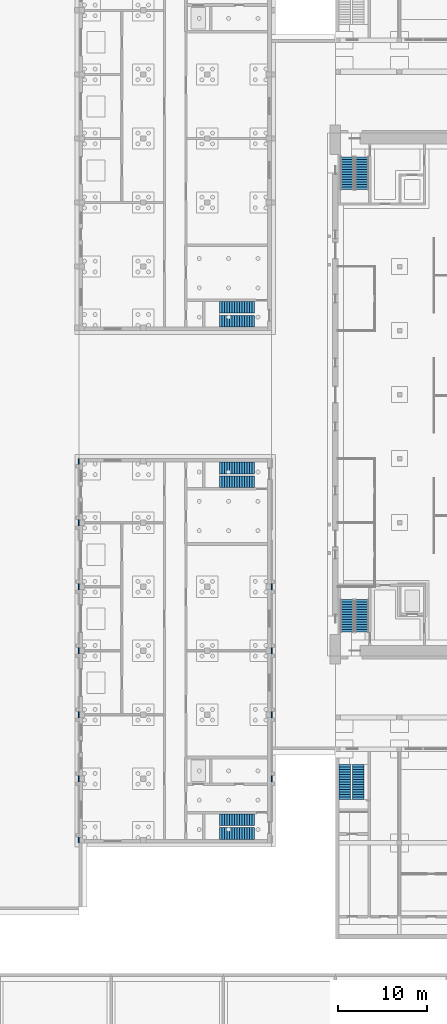
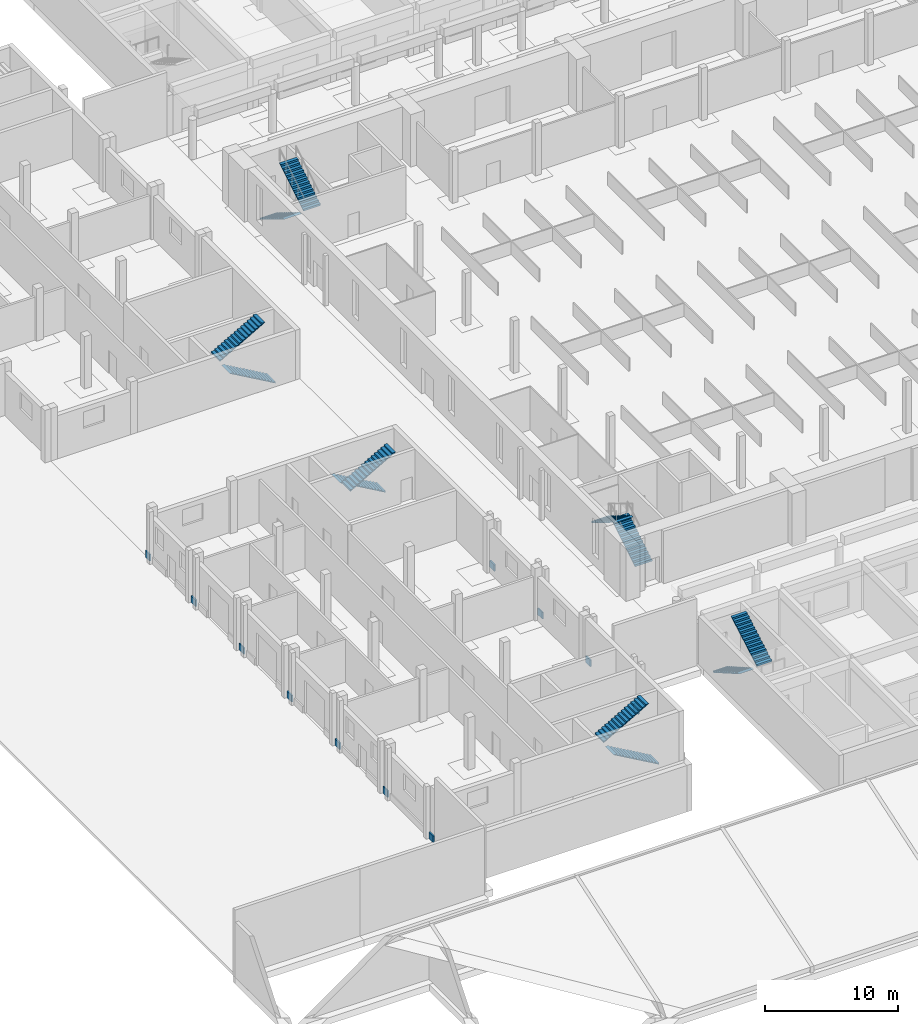
# One storey, part 59 of 73: 12 stair flights, 11 walls, 6 elements without a shape of their own.
"""IFC4 building model written with IfcOpenShell, lengths in metres."""

import ifcopenshell
import ifcopenshell.guid

model = None  # the IFC model being written
_history = None  # IfcOwnerHistory: only IFC2X3 demands one
_inside = {}  # id of a spatial element -> (the spatial element, [elements in it])
_under = {}  # id of a project, library or spatial element -> (it, [spatial elements below it])
_declared = {}  # id of a project -> (the project, [libraries it declares])
_typed = {}  # id of a type object -> (the type object, [elements of that type])
_made_of = {}  # id of a material, layer set ... -> (it, [elements and type objects made of it])


def new_model(schema):
    """Start an empty IFC model of exactly this schema.

    Asked for "IFC4X3", IfcOpenShell would pick the latest addendum, in which some entities
    have other attributes; the version numbers below select the first issue.
    IFC2X3 requires an IfcOwnerHistory on every rooted entity: one is made here for all.
    """
    global model, _history
    if schema == "IFC4X3":
        model = ifcopenshell.file(schema_version=(4, 3, 0, 0))
    else:
        model = ifcopenshell.file(schema=schema)
    _inside.clear()
    _under.clear()
    _declared.clear()
    _typed.clear()
    _made_of.clear()
    _history = None
    if model.schema == "IFC2X3":
        org = make("IfcOrganization", Name="unknown")
        user = make(
            "IfcPersonAndOrganization",
            ThePerson=make("IfcPerson", FamilyName="unknown"),
            TheOrganization=org,
        )
        app = make(
            "IfcApplication",
            ApplicationDeveloper=org,
            Version="unknown",
            ApplicationFullName="unknown",
            ApplicationIdentifier="unknown",
        )
        _history = make(
            "IfcOwnerHistory",
            OwningUser=user,
            OwningApplication=app,
            ChangeAction="ADDED",
            CreationDate=0,
        )
    return model


def make(cls, **values):
    """One entity of the class cls with the attributes given. An attribute that is None is left unset."""
    return model.create_entity(
        cls, **{name: value for name, value in values.items() if value is not None}
    )


def rooted(cls, **values):
    """An entity with a GlobalId (a new one), such as an element, a storey or a relation."""
    return make(cls, GlobalId=ifcopenshell.guid.new(), OwnerHistory=_history, **values)


def si_unit(unit_type, name, prefix=None):
    """IfcSIUnit, for example si_unit("LENGTHUNIT", "METRE", prefix="MILLI")."""
    return make("IfcSIUnit", UnitType=unit_type, Prefix=prefix, Name=name)


def assignment(units):
    """IfcUnitAssignment: the units of a project."""
    return None if units is None else make("IfcUnitAssignment", Units=units)


def point(xyz):
    """IfcCartesianPoint."""
    return None if xyz is None else make("IfcCartesianPoint", Coordinates=xyz)


def direction(xyz):
    """IfcDirection."""
    return None if xyz is None else make("IfcDirection", DirectionRatios=xyz)


def frame(location, z_axis=None, x_axis=None):
    """IfcAxis2Placement3D, a coordinate frame: its origin and axes. An axis left out is left unset."""
    return make(
        "IfcAxis2Placement3D",
        Location=point(location),
        Axis=direction(z_axis),
        RefDirection=direction(x_axis),
    )


def frame_2d(location, x_axis=None):
    """IfcAxis2Placement2D, a coordinate frame in the plane: its origin and x axis."""
    return make(
        "IfcAxis2Placement2D", Location=point(location), RefDirection=direction(x_axis)
    )


def origin():
    """The frame at (0, 0, 0) with its axes left unset."""
    return frame((0.0, 0.0, 0.0))


def place(relative_to, where):
    """IfcLocalPlacement: puts the frame where relative to a parent placement (None: the world)."""
    return make(
        "IfcLocalPlacement", PlacementRelTo=relative_to, RelativePlacement=where
    )


def context(
    kind, dimensions, precision=None, world=None, true_north=None, identifier=None
):
    """IfcGeometricRepresentationContext, for example the 3D "Model" context."""
    return make(
        "IfcGeometricRepresentationContext",
        ContextIdentifier=identifier,
        ContextType=kind,
        CoordinateSpaceDimension=dimensions,
        Precision=precision,
        WorldCoordinateSystem=world,
        TrueNorth=true_north,
    )


def subcontext(parent, identifier, kind, view, scale=None):
    """IfcGeometricRepresentationSubContext, for example "Body" below "Model"."""
    return make(
        "IfcGeometricRepresentationSubContext",
        ContextIdentifier=identifier,
        ContextType=kind,
        ParentContext=parent,
        TargetScale=scale,
        TargetView=view,
    )


def project(units=None, contexts=None):
    """IfcProject with its units and contexts."""
    return rooted(
        "IfcProject",
        Name="project",
        RepresentationContexts=contexts,
        UnitsInContext=assignment(units),
    )


def spatial(cls, under=None, at=None, **own):
    """A site, building, storey or space (cls), placed at a placement, below another one or the project."""
    s = rooted(cls, ObjectPlacement=at, **own)
    if under is not None:
        _under.setdefault(under.id(), (under, []))[1].append(s)
    return s


def polyline(points):
    """IfcPolyline through the points."""
    return make("IfcPolyline", Points=[point(p) for p in points])


def profile(cls, at=None, kind="AREA", **sizes):
    """A parametric profile (cls). Its sizes go by their IFC names, for example OverallWidth=200.0."""
    return make(cls, ProfileType=kind, Position=at, **sizes)


def rectangle(**sizes):
    """IfcRectangleProfileDef."""
    return profile("IfcRectangleProfileDef", **sizes)


def outline(outer, holes=None, kind="AREA"):
    """IfcArbitraryClosedProfileDef: a profile drawn as a closed curve; with holes, ...WithVoids."""
    if holes is None:
        return make("IfcArbitraryClosedProfileDef", ProfileType=kind, OuterCurve=outer)
    return make(
        "IfcArbitraryProfileDefWithVoids",
        ProfileType=kind,
        OuterCurve=outer,
        InnerCurves=holes,
    )


def extrude(swept, where, along, depth):
    """IfcExtrudedAreaSolid: the profile swept, set in the frame where, extruded along a direction by depth."""
    return make(
        "IfcExtrudedAreaSolid",
        SweptArea=swept,
        Position=where,
        ExtrudedDirection=direction(along),
        Depth=depth,
    )


def shape(context_of_items, identifier, shape_type, items):
    """IfcShapeRepresentation: the items that make up one representation, for example the "Body"."""
    return make(
        "IfcShapeRepresentation",
        ContextOfItems=context_of_items,
        RepresentationIdentifier=identifier,
        RepresentationType=shape_type,
        Items=items,
    )


def material(Name=None, Category=None):
    """IfcMaterial."""
    return make("IfcMaterial", Name=Name, Category=Category)


def layer(
    of_material, thickness, ventilated=None, Name=None, Category=None, Priority=None
):
    """IfcMaterialLayer: one layer of a wall or slab, of a material (None: an air gap)."""
    return make(
        "IfcMaterialLayer",
        Material=of_material,
        LayerThickness=thickness,
        IsVentilated=ventilated,
        Name=Name,
        Category=Category,
        Priority=Priority,
    )


def layer_set(layers, Name=None):
    """IfcMaterialLayerSet."""
    return make("IfcMaterialLayerSet", MaterialLayers=layers, LayerSetName=Name)


def made_of(thing, what):
    """Note that an element or type object is made of a material, layer set ...; save() writes the relation."""
    if what is not None:
        _made_of.setdefault(what.id(), (what, []))[1].append(thing)
    return thing


def type_object(cls, material=None, **own):
    """A type object (cls), such as IfcWallType, which elements share."""
    return made_of(rooted(cls, **own), material)


def element(
    cls,
    number,
    at=None,
    inside=None,
    cuts=None,
    type_object=None,
    material=None,
    context=None,
    identifier="Body",
    shape_type=None,
    held_by="IfcProductDefinitionShape",
    body=None,
    shapes=None,
    **own,
):
    """One element of the class cls, such as IfcWall. Its Tag is "e" and its number.

    at: its placement. inside: the storey or other place that contains it. cuts: it is an
    opening in that element (IfcRelVoidsElement). A single representation is given by context,
    identifier, shape_type and body (its items); several are given by shapes. held_by: the class
    of the entity that holds the representations. save() writes the other relations.
    """
    e = rooted(cls, Tag="e%d" % number, ObjectPlacement=at, **own)
    if body is not None:
        shapes = [shape(context, identifier, shape_type, body)]
    if shapes is not None:
        e.Representation = make(held_by, Representations=shapes)
    if inside is not None:
        _inside.setdefault(inside.id(), (inside, []))[1].append(e)
    if cuts is not None:
        rooted(
            "IfcRelVoidsElement", RelatingBuildingElement=cuts, RelatedOpeningElement=e
        )
    if type_object is not None:
        _typed.setdefault(type_object.id(), (type_object, []))[1].append(e)
    return made_of(e, material)


def aggregate(whole, parts):
    """IfcRelAggregates: a whole, such as a stair, and the parts it consists of."""
    return rooted("IfcRelAggregates", RelatingObject=whole, RelatedObjects=parts)


def save(model, path):
    """Write the relations noted so far, then the file.

    IfcRelAggregates (storeys below a building ...), IfcRelContainedInSpatialStructure (elements
    in a storey), IfcRelDefinesByType, IfcRelAssociatesMaterial and IfcRelDeclares: one each for
    every whole, place, type object, material and project.
    """
    for whole, parts in _under.values():
        aggregate(whole, parts)
    for where, things in _inside.values():
        rooted(
            "IfcRelContainedInSpatialStructure",
            RelatedElements=things,
            RelatingStructure=where,
        )
    for kind, things in _typed.values():
        rooted("IfcRelDefinesByType", RelatedObjects=things, RelatingType=kind)
    for what, things in _made_of.values():
        rooted("IfcRelAssociatesMaterial", RelatedObjects=things, RelatingMaterial=what)
    for by, libraries in _declared.values():
        rooted("IfcRelDeclares", RelatingContext=by, RelatedDefinitions=libraries)
    model.write(path)


model = new_model("IFC4")

# Units and contexts
model_context = context("Model", 3, precision=1e-05, world=origin(), true_north=direction((0.0, 1.0)))
body_context = subcontext(model_context, "Body", "Model", "MODEL_VIEW")
ifc_project = project(units=[si_unit("LENGTHUNIT", "METRE"), si_unit("AREAUNIT", "SQUARE_METRE"), si_unit("VOLUMEUNIT", "CUBIC_METRE"), si_unit("PLANEANGLEUNIT", "RADIAN"), si_unit("MASSUNIT", "GRAM", prefix="KILO")], contexts=[model_context])

# Site, building, storey
site_placement = place(None, origin())
site = spatial("IfcSite", under=ifc_project, at=site_placement, CompositionType="ELEMENT")
building_placement = place(site_placement, origin())
building = spatial("IfcBuilding", under=site, at=building_placement, Name="Alderwick Market Hall", CompositionType="ELEMENT")
storey_placement = place(building_placement, origin())
storey = spatial("IfcBuildingStorey", under=building, at=storey_placement, Name="LG", CompositionType="ELEMENT", Elevation=0.0)

# Walls
ifc_material_1 = material(Name="Cast stone 5000 psi", Category="masonry")
ifc_layer = layer(ifc_material_1, 0.1201171875)
ifc_layer_set = layer_set([ifc_layer], Name="Cast stone 5000 psi")
wall_type = type_object("IfcWallType", Name="B Cast Stone Base Course 120", PredefinedType="SOLIDWALL", material=ifc_layer_set)
wall_1_placement = place(storey_placement, frame((21.5400390625, 28.800048828125, 0.0), z_axis=(0.0, 0.0, 1.0), x_axis=(0.0, 1.0, 0.0)))
element("IfcWall", 1, at=wall_1_placement, inside=storey, type_object=wall_type, Name="B.S.base.W.00", PredefinedType="SOLIDWALL", context=body_context, shape_type="SweptSolid", body=[
    extrude(rectangle(XDim=0.64990234375, YDim=0.1201171875, at=frame_2d((0.324951171875, 0.0))), origin(), (0.0, 0.0, 1.0), 0.60009765625),
])
wall_2_placement = place(storey_placement, frame((21.5400390625, 35.64990234375, 0.0), z_axis=(0.0, 0.0, 1.0), x_axis=(0.0, 1.0, 0.0)))
element("IfcWall", 2, at=wall_2_placement, inside=storey, type_object=wall_type, Name="B.S.base.W.02", PredefinedType="SOLIDWALL", context=body_context, shape_type="SweptSolid", body=[
    extrude(rectangle(XDim=0.7001953125, YDim=0.1201171875, at=frame_2d((0.35009765625, 0.0))), origin(), (0.0, 0.0, 1.0), 0.60009765625),
])
for number, where, z_axis, x_axis, name in (
    (3, (21.5400390625, 42.85009765625, 0.0), (0.0, 0.0, 1.0), (0.0, 1.0, 0.0), "B.S.base.W.05"),
    (4, (21.5400390625, 50.050048828125, 0.0), (0.0, 0.0, 1.0), (0.0, 1.0, 0.0), "B.S.base.W.08"),
    (5, (21.5400390625, 57.25, 0.0), (0.0, 0.0, 1.0), (0.0, 1.0, 0.0), "B.S.base.W.11"),
    (6, (21.5400390625, 64.449951171875, 0.0), (0.0, 0.0, 1.0), (0.0, 1.0, 0.0), "B.S.base.W.14"),
):
    element("IfcWall", number, at=place(storey_placement, frame(where, z_axis=z_axis, x_axis=x_axis)), inside=storey, type_object=wall_type, Name=name, PredefinedType="SOLIDWALL", context=body_context, shape_type="SweptSolid", body=[
        extrude(rectangle(XDim=0.699951171875, YDim=0.1201171875, at=frame_2d((0.35009765625, 0.0))), origin(), (0.0, 0.0, 1.0), 0.60009765625),
    ])
wall_3_placement = place(storey_placement, frame((21.5400390625, 71.35009765625, 0.0), z_axis=(0.0, 0.0, 1.0), x_axis=(0.0, 1.0, 0.0)))
element("IfcWall", 7, at=wall_3_placement, inside=storey, type_object=wall_type, Name="B.S.base.W.17", PredefinedType="SOLIDWALL", context=body_context, shape_type="SweptSolid", body=[
    extrude(rectangle(XDim=0.64990234375, YDim=0.1201171875, at=frame_2d((0.324951171875, 0.0))), origin(), (0.0, 0.0, 1.0), 0.60009765625),
])
wall_4_placement = place(storey_placement, frame((43.260009765625, 35.64990234375, 0.0), z_axis=(0.0, 0.0, 1.0), x_axis=(0.0, 1.0, 0.0)))
element("IfcWall", 8, at=wall_4_placement, inside=storey, type_object=wall_type, Name="B.S.base.E.02", PredefinedType="SOLIDWALL", context=body_context, shape_type="SweptSolid", body=[
    extrude(rectangle(XDim=0.7001953125, YDim=0.1201171875, at=frame_2d((0.35009765625, 0.0))), origin(), (0.0, 0.0, 1.0), 0.60009765625),
])
for number, where, z_axis, x_axis, name in (
    (9, (43.260009765625, 42.85009765625, 0.0), (0.0, 0.0, 1.0), (0.0, 1.0, 0.0), "B.S.base.E.04"),
    (10, (43.260009765625, 50.050048828125, 0.0), (0.0, 0.0, 1.0), (0.0, 1.0, 0.0), "B.S.base.E.06"),
    (11, (43.260009765625, 57.25, 0.0), (0.0, 0.0, 1.0), (0.0, 1.0, 0.0), "B.S.base.E.08"),
):
    element("IfcWall", number, at=place(storey_placement, frame(where, z_axis=z_axis, x_axis=x_axis)), inside=storey, type_object=wall_type, Name=name, PredefinedType="SOLIDWALL", context=body_context, shape_type="SweptSolid", body=[
        extrude(rectangle(XDim=0.699951171875, YDim=0.1201171875, at=frame_2d((0.35009765625, 0.0))), origin(), (0.0, 0.0, 1.0), 0.60009765625),
    ])

# Stair, stair flights
ifc_material_2 = material(Name="Concrete 5000 psi (f'c 35 MPa)", Category="concrete")
stair_type_1 = type_object("IfcStairType", Name="A Roof Stair 1300", PredefinedType="TWO_STRAIGHT_RUN_STAIR", material=ifc_material_2)
stair_1_placement = place(storey_placement, origin())
stair_1 = element("IfcStair", 12, at=stair_1_placement, inside=storey, type_object=stair_type_1, Name="Roof stair SW", PredefinedType="TWO_STRAIGHT_RUN_STAIR")
stair_flight_type_1 = type_object("IfcStairFlightType", Name="A Stair Flight 1300", PredefinedType="STRAIGHT", material=ifc_material_2)
stair_flight_1_placement = place(storey_placement, frame((51.449951171875, 37.60009765625, 0.0), z_axis=(0.0, 0.0, 1.0), x_axis=(0.0, -1.0, 0.0)))
stair_flight_1 = element("IfcStairFlight", 13, at=stair_flight_1_placement, type_object=stair_flight_type_1, Name="A-ST-SW flight 1", NumberOfRisers=15, NumberOfTreads=14, PredefinedType="STRAIGHT", RiserHeight=0.16, TreadLength=0.28, context=body_context, shape_type="SweptSolid", body=[
    extrude(outline(polyline([(0.00537109375, -0.009521484375), (0.0, 0.0), (0.0, 0.159912109375), (0.280029296875, 0.159912109375), (0.280029296875, 0.320068359375), (0.56005859375, 0.320068359375), (0.56005859375, 0.47998046875), (0.840087890625, 0.47998046875), (0.840087890625, 0.639892578125), (1.1201171875, 0.639892578125), (1.1201171875, 0.800048828125), (1.39990234375, 0.800048828125), (1.39990234375, 0.9599609375), (1.679931640625, 0.9599609375), (1.679931640625, 1.1201171875), (1.9599609375, 1.1201171875), (1.9599609375, 1.280029296875), (2.239990234375, 1.280029296875), (2.239990234375, 1.43994140625), (2.52001953125, 1.43994140625), (2.52001953125, 1.60009765625), (2.800048828125, 1.60009765625), (2.800048828125, 1.760009765625), (3.080078125, 1.760009765625), (3.080078125, 1.919921875), (3.360107421875, 1.919921875), (3.360107421875, 2.080078125), (3.639892578125, 2.080078125), (3.639892578125, 2.239990234375), (3.919921875, 2.239990234375), (3.919921875, 2.227294921875), (0.00537109375, -0.009521484375)])), frame((0.0, 0.64990234375, 0.0), z_axis=(0.0, -1.0, 0.0), x_axis=(1.0, 0.0, 0.0)), (0.0, 0.0, 1.0), 1.300048828125),
])
stair_flight_2_placement = place(storey_placement, frame((53.0, 33.679931640625, 2.39990234375), z_axis=(0.0, 0.0, 1.0), x_axis=(0.0, 1.0, 0.0)))
stair_flight_2 = element("IfcStairFlight", 14, at=stair_flight_2_placement, type_object=stair_flight_type_1, Name="A-ST-SW flight 2", NumberOfRisers=15, NumberOfTreads=14, PredefinedType="STRAIGHT", RiserHeight=0.16, TreadLength=0.28, context=body_context, shape_type="SweptSolid", body=[
    extrude(outline(polyline([(0.00537109375, -0.009521484375), (0.0, 0.0), (0.0, 0.159912109375), (0.280029296875, 0.159912109375), (0.280029296875, 0.320068359375), (0.56005859375, 0.320068359375), (0.56005859375, 0.47998046875), (0.840087890625, 0.47998046875), (0.840087890625, 0.639892578125), (1.1201171875, 0.639892578125), (1.1201171875, 0.800048828125), (1.39990234375, 0.800048828125), (1.39990234375, 0.9599609375), (1.679931640625, 0.9599609375), (1.679931640625, 1.1201171875), (1.9599609375, 1.1201171875), (1.9599609375, 1.280029296875), (2.239990234375, 1.280029296875), (2.239990234375, 1.43994140625), (2.52001953125, 1.43994140625), (2.52001953125, 1.60009765625), (2.800048828125, 1.60009765625), (2.800048828125, 1.760009765625), (3.080078125, 1.760009765625), (3.080078125, 1.919921875), (3.360107421875, 1.919921875), (3.360107421875, 2.080078125), (3.639892578125, 2.080078125), (3.639892578125, 2.239990234375), (3.919921875, 2.239990234375), (3.919921875, 2.227294921875), (0.00537109375, -0.009521484375)])), frame((0.0, 0.64990234375, 0.0), z_axis=(0.0, -1.0, 0.0), x_axis=(1.0, 0.0, 0.0)), (0.0, 0.0, 1.0), 1.300048828125),
])
aggregate(stair_1, [stair_flight_1, stair_flight_2])

stair_type_2 = type_object("IfcStairType", Name="B Exit Stair 1300", PredefinedType="TWO_STRAIGHT_RUN_STAIR", material=ifc_material_2)
stair_2_placement = place(storey_placement, origin())
stair_2 = element("IfcStair", 15, at=stair_2_placement, inside=storey, type_object=stair_type_2, Name="Stair N-2 LG", PredefinedType="TWO_STRAIGHT_RUN_STAIR")
stair_flight_type_2 = type_object("IfcStairFlightType", Name="B Stair Flight 1300", PredefinedType="STRAIGHT", material=ifc_material_2)
stair_flight_3_placement = place(storey_placement, frame((41.300048828125, 87.449951171875, 0.0), z_axis=(0.0, 0.0, 1.0), x_axis=(-1.0, 0.0, 0.0)))
stair_flight_3 = element("IfcStairFlight", 16, at=stair_flight_3_placement, type_object=stair_flight_type_2, Name="B-ST-N-2-LG flight 1", NumberOfRisers=15, NumberOfTreads=14, PredefinedType="STRAIGHT", RiserHeight=0.16, TreadLength=0.28, context=body_context, shape_type="SweptSolid", body=[
    extrude(outline(polyline([(0.00537109375, -0.009521484375), (0.0, 0.0), (0.0, 0.159912109375), (0.280029296875, 0.159912109375), (0.280029296875, 0.320068359375), (0.56005859375, 0.320068359375), (0.56005859375, 0.47998046875), (0.840087890625, 0.47998046875), (0.840087890625, 0.639892578125), (1.1201171875, 0.639892578125), (1.1201171875, 0.800048828125), (1.39990234375, 0.800048828125), (1.39990234375, 0.9599609375), (1.679931640625, 0.9599609375), (1.679931640625, 1.1201171875), (1.9599609375, 1.1201171875), (1.9599609375, 1.280029296875), (2.239990234375, 1.280029296875), (2.239990234375, 1.43994140625), (2.52001953125, 1.43994140625), (2.52001953125, 1.60009765625), (2.800048828125, 1.60009765625), (2.800048828125, 1.760009765625), (3.080078125, 1.760009765625), (3.080078125, 1.919921875), (3.360107421875, 1.919921875), (3.360107421875, 2.080078125), (3.639892578125, 2.080078125), (3.639892578125, 2.239990234375), (3.919921875, 2.239990234375), (3.919921875, 2.227294921875), (0.00537109375, -0.009521484375)])), frame((0.0, 0.64990234375, 0.0), z_axis=(0.0, -1.0, 0.0), x_axis=(1.0, 0.0, 0.0)), (0.0, 0.0, 1.0), 1.300048828125),
])
stair_flight_4_placement = place(storey_placement, frame((37.3798828125, 89.0, 2.39990234375), z_axis=(0.0, 0.0, 1.0), x_axis=(1.0, 0.0, 0.0)))
stair_flight_4 = element("IfcStairFlight", 17, at=stair_flight_4_placement, type_object=stair_flight_type_2, Name="B-ST-N-2-LG flight 2", NumberOfRisers=15, NumberOfTreads=14, PredefinedType="STRAIGHT", RiserHeight=0.16, TreadLength=0.28, context=body_context, shape_type="SweptSolid", body=[
    extrude(outline(polyline([(0.00537109375, -0.009521484375), (0.0, 0.0), (0.0, 0.159912109375), (0.280029296875, 0.159912109375), (0.280029296875, 0.320068359375), (0.56005859375, 0.320068359375), (0.56005859375, 0.47998046875), (0.840087890625, 0.47998046875), (0.840087890625, 0.639892578125), (1.1201171875, 0.639892578125), (1.1201171875, 0.800048828125), (1.39990234375, 0.800048828125), (1.39990234375, 0.9599609375), (1.679931640625, 0.9599609375), (1.679931640625, 1.1201171875), (1.9599609375, 1.1201171875), (1.9599609375, 1.280029296875), (2.239990234375, 1.280029296875), (2.239990234375, 1.43994140625), (2.52001953125, 1.43994140625), (2.52001953125, 1.60009765625), (2.800048828125, 1.60009765625), (2.800048828125, 1.760009765625), (3.080078125, 1.760009765625), (3.080078125, 1.919921875), (3.360107421875, 1.919921875), (3.360107421875, 2.080078125), (3.639892578125, 2.080078125), (3.639892578125, 2.239990234375), (3.919921875, 2.239990234375), (3.919921875, 2.227294921875), (0.00537109375, -0.009521484375)])), frame((0.0, 0.64990234375, 0.0), z_axis=(0.0, -1.0, 0.0), x_axis=(1.0, 0.0, 0.0)), (0.0, 0.0, 1.0), 1.300048828125),
])
aggregate(stair_2, [stair_flight_3, stair_flight_4])

stair_3_placement = place(storey_placement, origin())
stair_3 = element("IfcStair", 18, at=stair_3_placement, inside=storey, type_object=stair_type_2, Name="Stair S-1 LG", PredefinedType="TWO_STRAIGHT_RUN_STAIR")
stair_flight_5_placement = place(storey_placement, frame((41.300048828125, 29.85009765625, 0.0), z_axis=(0.0, 0.0, 1.0), x_axis=(-1.0, 0.0, 0.0)))
stair_flight_5 = element("IfcStairFlight", 19, at=stair_flight_5_placement, type_object=stair_flight_type_2, Name="B-ST-S-1-LG flight 1", NumberOfRisers=15, NumberOfTreads=14, PredefinedType="STRAIGHT", RiserHeight=0.16, TreadLength=0.28, context=body_context, shape_type="SweptSolid", body=[
    extrude(outline(polyline([(0.00537109375, -0.009521484375), (0.0, 0.0), (0.0, 0.159912109375), (0.280029296875, 0.159912109375), (0.280029296875, 0.320068359375), (0.56005859375, 0.320068359375), (0.56005859375, 0.47998046875), (0.840087890625, 0.47998046875), (0.840087890625, 0.639892578125), (1.1201171875, 0.639892578125), (1.1201171875, 0.800048828125), (1.39990234375, 0.800048828125), (1.39990234375, 0.9599609375), (1.679931640625, 0.9599609375), (1.679931640625, 1.1201171875), (1.9599609375, 1.1201171875), (1.9599609375, 1.280029296875), (2.239990234375, 1.280029296875), (2.239990234375, 1.43994140625), (2.52001953125, 1.43994140625), (2.52001953125, 1.60009765625), (2.800048828125, 1.60009765625), (2.800048828125, 1.760009765625), (3.080078125, 1.760009765625), (3.080078125, 1.919921875), (3.360107421875, 1.919921875), (3.360107421875, 2.080078125), (3.639892578125, 2.080078125), (3.639892578125, 2.239990234375), (3.919921875, 2.239990234375), (3.919921875, 2.227294921875), (0.00537109375, -0.009521484375)])), frame((0.0, 0.64990234375, 0.0), z_axis=(0.0, -1.0, 0.0), x_axis=(1.0, 0.0, 0.0)), (0.0, 0.0, 1.0), 1.300048828125),
])
stair_flight_6_placement = place(storey_placement, frame((37.3798828125, 31.39990234375, 2.39990234375), z_axis=(0.0, 0.0, 1.0), x_axis=(1.0, 0.0, 0.0)))
stair_flight_6 = element("IfcStairFlight", 20, at=stair_flight_6_placement, type_object=stair_flight_type_2, Name="B-ST-S-1-LG flight 2", NumberOfRisers=15, NumberOfTreads=14, PredefinedType="STRAIGHT", RiserHeight=0.16, TreadLength=0.28, context=body_context, shape_type="SweptSolid", body=[
    extrude(outline(polyline([(0.00537109375, -0.009521484375), (0.0, 0.0), (0.0, 0.159912109375), (0.280029296875, 0.159912109375), (0.280029296875, 0.320068359375), (0.56005859375, 0.320068359375), (0.56005859375, 0.47998046875), (0.840087890625, 0.47998046875), (0.840087890625, 0.639892578125), (1.1201171875, 0.639892578125), (1.1201171875, 0.800048828125), (1.39990234375, 0.800048828125), (1.39990234375, 0.9599609375), (1.679931640625, 0.9599609375), (1.679931640625, 1.1201171875), (1.9599609375, 1.1201171875), (1.9599609375, 1.280029296875), (2.239990234375, 1.280029296875), (2.239990234375, 1.43994140625), (2.52001953125, 1.43994140625), (2.52001953125, 1.60009765625), (2.800048828125, 1.60009765625), (2.800048828125, 1.760009765625), (3.080078125, 1.760009765625), (3.080078125, 1.919921875), (3.360107421875, 1.919921875), (3.360107421875, 2.080078125), (3.639892578125, 2.080078125), (3.639892578125, 2.239990234375), (3.919921875, 2.239990234375), (3.919921875, 2.227294921875), (0.00537109375, -0.009521484375)])), frame((0.0, 0.64990234375, 0.0), z_axis=(0.0, -1.0, 0.0), x_axis=(1.0, 0.0, 0.0)), (0.0, 0.0, 1.0), 1.300048828125),
])
aggregate(stair_3, [stair_flight_5, stair_flight_6])

stair_4_placement = place(storey_placement, origin())
stair_4 = element("IfcStair", 21, at=stair_4_placement, inside=storey, type_object=stair_type_2, Name="Stair S-2 LG", PredefinedType="TWO_STRAIGHT_RUN_STAIR")
stair_flight_7_placement = place(storey_placement, frame((41.300048828125, 70.949951171875, 0.0), z_axis=(0.0, 0.0, 1.0), x_axis=(-1.0, 0.0, 0.0)))
stair_flight_7 = element("IfcStairFlight", 22, at=stair_flight_7_placement, type_object=stair_flight_type_2, Name="B-ST-S-2-LG flight 1", NumberOfRisers=15, NumberOfTreads=14, PredefinedType="STRAIGHT", RiserHeight=0.16, TreadLength=0.28, context=body_context, shape_type="SweptSolid", body=[
    extrude(outline(polyline([(0.00537109375, -0.009521484375), (0.0, 0.0), (0.0, 0.159912109375), (0.280029296875, 0.159912109375), (0.280029296875, 0.320068359375), (0.56005859375, 0.320068359375), (0.56005859375, 0.47998046875), (0.840087890625, 0.47998046875), (0.840087890625, 0.639892578125), (1.1201171875, 0.639892578125), (1.1201171875, 0.800048828125), (1.39990234375, 0.800048828125), (1.39990234375, 0.9599609375), (1.679931640625, 0.9599609375), (1.679931640625, 1.1201171875), (1.9599609375, 1.1201171875), (1.9599609375, 1.280029296875), (2.239990234375, 1.280029296875), (2.239990234375, 1.43994140625), (2.52001953125, 1.43994140625), (2.52001953125, 1.60009765625), (2.800048828125, 1.60009765625), (2.800048828125, 1.760009765625), (3.080078125, 1.760009765625), (3.080078125, 1.919921875), (3.360107421875, 1.919921875), (3.360107421875, 2.080078125), (3.639892578125, 2.080078125), (3.639892578125, 2.239990234375), (3.919921875, 2.239990234375), (3.919921875, 2.227294921875), (0.00537109375, -0.009521484375)])), frame((0.0, 0.64990234375, 0.0), z_axis=(0.0, -1.0, 0.0), x_axis=(1.0, 0.0, 0.0)), (0.0, 0.0, 1.0), 1.300048828125),
])
stair_flight_8_placement = place(storey_placement, frame((37.3798828125, 69.39990234375, 2.39990234375), z_axis=(0.0, 0.0, 1.0), x_axis=(1.0, 0.0, 0.0)))
stair_flight_8 = element("IfcStairFlight", 23, at=stair_flight_8_placement, type_object=stair_flight_type_2, Name="B-ST-S-2-LG flight 2", NumberOfRisers=15, NumberOfTreads=14, PredefinedType="STRAIGHT", RiserHeight=0.16, TreadLength=0.28, context=body_context, shape_type="SweptSolid", body=[
    extrude(outline(polyline([(0.00537109375, -0.009521484375), (0.0, 0.0), (0.0, 0.159912109375), (0.280029296875, 0.159912109375), (0.280029296875, 0.320068359375), (0.56005859375, 0.320068359375), (0.56005859375, 0.47998046875), (0.840087890625, 0.47998046875), (0.840087890625, 0.639892578125), (1.1201171875, 0.639892578125), (1.1201171875, 0.800048828125), (1.39990234375, 0.800048828125), (1.39990234375, 0.9599609375), (1.679931640625, 0.9599609375), (1.679931640625, 1.1201171875), (1.9599609375, 1.1201171875), (1.9599609375, 1.280029296875), (2.239990234375, 1.280029296875), (2.239990234375, 1.43994140625), (2.52001953125, 1.43994140625), (2.52001953125, 1.60009765625), (2.800048828125, 1.60009765625), (2.800048828125, 1.760009765625), (3.080078125, 1.760009765625), (3.080078125, 1.919921875), (3.360107421875, 1.919921875), (3.360107421875, 2.080078125), (3.639892578125, 2.080078125), (3.639892578125, 2.239990234375), (3.919921875, 2.239990234375), (3.919921875, 2.227294921875), (0.00537109375, -0.009521484375)])), frame((0.0, 0.64990234375, 0.0), z_axis=(0.0, -1.0, 0.0), x_axis=(1.0, 0.0, 0.0)), (0.0, 0.0, 1.0), 1.300048828125),
])
aggregate(stair_4, [stair_flight_7, stair_flight_8])

stair_type_3 = type_object("IfcStairType", Name="H Stair 1500", PredefinedType="HALF_TURN_STAIR", material=ifc_material_2)
stair_5_placement = place(storey_placement, origin())
stair_5 = element("IfcStair", 24, at=stair_5_placement, inside=storey, type_object=stair_type_3, Name="LG Exit stair H-SW", PredefinedType="HALF_TURN_STAIR")
stair_flight_type_3 = type_object("IfcStairFlightType", Name="H Stair flight 1500", PredefinedType="STRAIGHT", material=ifc_material_2)
stair_flight_9_placement = place(storey_placement, frame((53.39990234375, 52.5, 0.0), z_axis=(0.0, 0.0, 1.0), x_axis=(0.0, 1.0, 0.0)))
stair_flight_9 = element("IfcStairFlight", 25, at=stair_flight_9_placement, type_object=stair_flight_type_3, Name="H-SW flight 1", NumberOfRisers=14, NumberOfTreads=13, PredefinedType="STRAIGHT", RiserHeight=0.171428571, TreadLength=0.28, context=body_context, shape_type="SweptSolid", body=[
    extrude(outline(polyline([(0.001953125, -0.003173828125), (0.0, 0.0), (0.0, 0.17138671875), (0.280029296875, 0.17138671875), (0.280029296875, 0.3427734375), (0.56005859375, 0.3427734375), (0.56005859375, 0.514404296875), (0.840087890625, 0.514404296875), (0.840087890625, 0.685791015625), (1.1201171875, 0.685791015625), (1.1201171875, 0.857177734375), (1.39990234375, 0.857177734375), (1.39990234375, 1.028564453125), (1.679931640625, 1.028564453125), (1.679931640625, 1.199951171875), (1.9599609375, 1.199951171875), (1.9599609375, 1.371337890625), (2.239990234375, 1.371337890625), (2.239990234375, 1.54296875), (2.52001953125, 1.54296875), (2.52001953125, 1.71435546875), (2.800048828125, 1.71435546875), (2.800048828125, 1.8857421875), (3.080078125, 1.8857421875), (3.080078125, 2.05712890625), (3.360107421875, 2.05712890625), (3.360107421875, 2.228515625), (3.639892578125, 2.228515625), (3.639892578125, 2.22412109375), (0.001953125, -0.003173828125)])), frame((0.0, 0.75, 0.0), z_axis=(0.0, -1.0, 0.0), x_axis=(1.0, 0.0, 0.0)), (0.0, 0.0, 1.0), 1.5),
])
stair_flight_10_placement = place(storey_placement, frame((51.75, 56.139892578125, 2.39990234375), z_axis=(0.0, 0.0, 1.0), x_axis=(0.0, -1.0, 0.0)))
stair_flight_10 = element("IfcStairFlight", 26, at=stair_flight_10_placement, type_object=stair_flight_type_3, Name="H-SW flight 2", NumberOfRisers=14, NumberOfTreads=13, PredefinedType="STRAIGHT", RiserHeight=0.171428571, TreadLength=0.28, context=body_context, shape_type="SweptSolid", body=[
    extrude(outline(polyline([(0.001953125, -0.003173828125), (0.0, 0.0), (0.0, 0.17138671875), (0.280029296875, 0.17138671875), (0.280029296875, 0.3427734375), (0.56005859375, 0.3427734375), (0.56005859375, 0.514404296875), (0.840087890625, 0.514404296875), (0.840087890625, 0.685791015625), (1.1201171875, 0.685791015625), (1.1201171875, 0.857177734375), (1.39990234375, 0.857177734375), (1.39990234375, 1.028564453125), (1.679931640625, 1.028564453125), (1.679931640625, 1.199951171875), (1.9599609375, 1.199951171875), (1.9599609375, 1.371337890625), (2.239990234375, 1.371337890625), (2.239990234375, 1.54296875), (2.52001953125, 1.54296875), (2.52001953125, 1.71435546875), (2.800048828125, 1.71435546875), (2.800048828125, 1.8857421875), (3.080078125, 1.8857421875), (3.080078125, 2.05712890625), (3.360107421875, 2.05712890625), (3.360107421875, 2.228515625), (3.639892578125, 2.228515625), (3.639892578125, 2.22412109375), (0.001953125, -0.003173828125)])), frame((0.0, 0.75, 0.0), z_axis=(0.0, -1.0, 0.0), x_axis=(1.0, 0.0, 0.0)), (0.0, 0.0, 1.0), 1.5),
])
aggregate(stair_5, [stair_flight_9, stair_flight_10])

stair_6_placement = place(storey_placement, origin())
stair_6 = element("IfcStair", 27, at=stair_6_placement, inside=storey, type_object=stair_type_3, Name="LG Exit stair H-NW", PredefinedType="HALF_TURN_STAIR")
stair_flight_11_placement = place(storey_placement, frame((51.75, 105.89990234375, 0.0), z_axis=(0.0, 0.0, 1.0), x_axis=(0.0, -1.0, 0.0)))
stair_flight_11 = element("IfcStairFlight", 28, at=stair_flight_11_placement, type_object=stair_flight_type_3, Name="H-NW flight 1", NumberOfRisers=14, NumberOfTreads=13, PredefinedType="STRAIGHT", RiserHeight=0.171428571, TreadLength=0.28, context=body_context, shape_type="SweptSolid", body=[
    extrude(outline(polyline([(0.001953125, -0.003173828125), (0.0, 0.0), (0.0, 0.17138671875), (0.280029296875, 0.17138671875), (0.280029296875, 0.3427734375), (0.56005859375, 0.3427734375), (0.56005859375, 0.514404296875), (0.840087890625, 0.514404296875), (0.840087890625, 0.685791015625), (1.1201171875, 0.685791015625), (1.1201171875, 0.857177734375), (1.39990234375, 0.857177734375), (1.39990234375, 1.028564453125), (1.679931640625, 1.028564453125), (1.679931640625, 1.199951171875), (1.9599609375, 1.199951171875), (1.9599609375, 1.371337890625), (2.239990234375, 1.371337890625), (2.239990234375, 1.54296875), (2.52001953125, 1.54296875), (2.52001953125, 1.71435546875), (2.800048828125, 1.71435546875), (2.800048828125, 1.8857421875), (3.080078125, 1.8857421875), (3.080078125, 2.05712890625), (3.360107421875, 2.05712890625), (3.360107421875, 2.228515625), (3.639892578125, 2.228515625), (3.639892578125, 2.22412109375), (0.001953125, -0.003173828125)])), frame((0.0, 0.75, 0.0), z_axis=(0.0, -1.0, 0.0), x_axis=(1.0, 0.0, 0.0)), (0.0, 0.0, 1.0), 1.5),
])
stair_flight_12_placement = place(storey_placement, frame((53.39990234375, 102.260009765625, 2.39990234375), z_axis=(0.0, 0.0, 1.0), x_axis=(0.0, 1.0, 0.0)))
stair_flight_12 = element("IfcStairFlight", 29, at=stair_flight_12_placement, type_object=stair_flight_type_3, Name="H-NW flight 2", NumberOfRisers=14, NumberOfTreads=13, PredefinedType="STRAIGHT", RiserHeight=0.171428571, TreadLength=0.28, context=body_context, shape_type="SweptSolid", body=[
    extrude(outline(polyline([(0.001953125, -0.003173828125), (0.0, 0.0), (0.0, 0.17138671875), (0.280029296875, 0.17138671875), (0.280029296875, 0.3427734375), (0.56005859375, 0.3427734375), (0.56005859375, 0.514404296875), (0.840087890625, 0.514404296875), (0.840087890625, 0.685791015625), (1.1201171875, 0.685791015625), (1.1201171875, 0.857177734375), (1.39990234375, 0.857177734375), (1.39990234375, 1.028564453125), (1.679931640625, 1.028564453125), (1.679931640625, 1.199951171875), (1.9599609375, 1.199951171875), (1.9599609375, 1.371337890625), (2.239990234375, 1.371337890625), (2.239990234375, 1.54296875), (2.52001953125, 1.54296875), (2.52001953125, 1.71435546875), (2.800048828125, 1.71435546875), (2.800048828125, 1.8857421875), (3.080078125, 1.8857421875), (3.080078125, 2.05712890625), (3.360107421875, 2.05712890625), (3.360107421875, 2.228515625), (3.639892578125, 2.228515625), (3.639892578125, 2.22412109375), (0.001953125, -0.003173828125)])), frame((0.0, 0.75, 0.0), z_axis=(0.0, -1.0, 0.0), x_axis=(1.0, 0.0, 0.0)), (0.0, 0.0, 1.0), 1.5),
])
aggregate(stair_6, [stair_flight_11, stair_flight_12])

save(model, "model.ifc")
